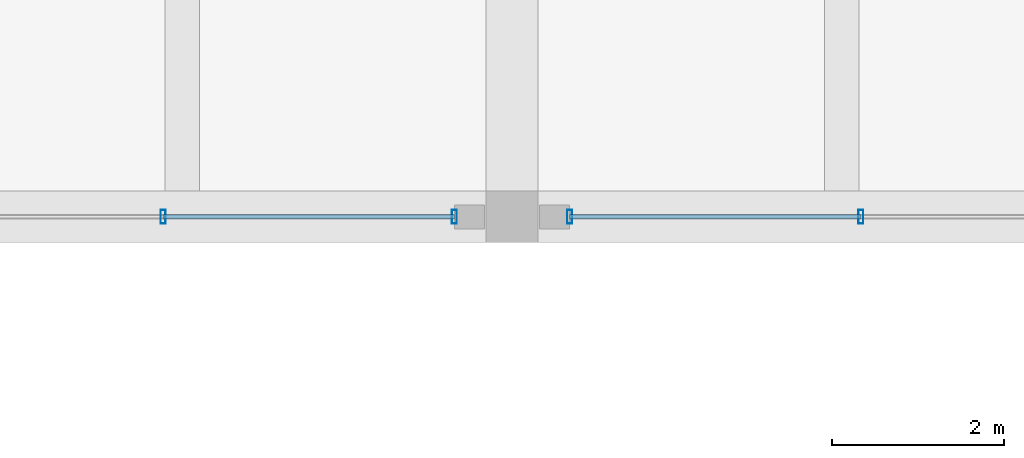
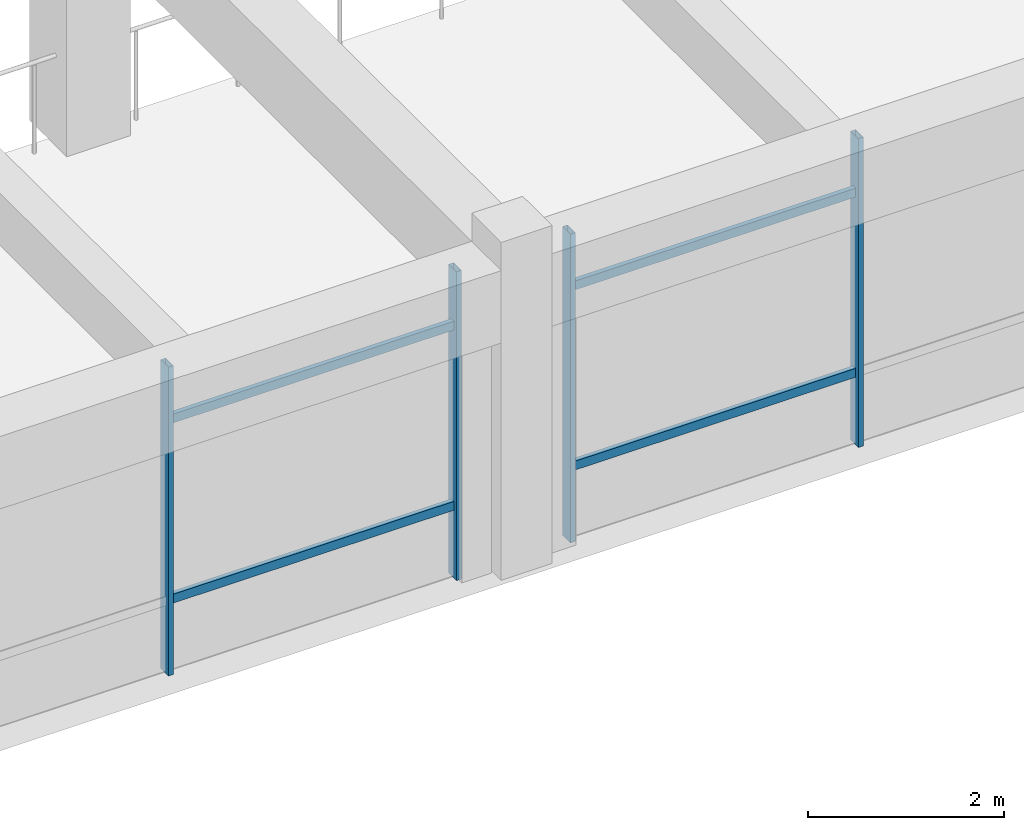
# One storey, part 47 of 98: 8 members, 2 elements without a shape of their own.
"""IFC4 building model written with IfcOpenShell, lengths in metres."""

from ifc_helpers import new_model, si_unit, direction, frame, origin, origin_2d, place, context, subcontext, project, spatial, hollow_rectangle, extrude, material, material_profile, profile_set, type_object, element, aggregate, save


model = new_model("IFC4")

# Units and contexts
model_context = context("Model", 3, precision=1e-05, world=origin(), true_north=direction((0.0, 1.0)))
body_context = subcontext(model_context, "Body", "Model", "MODEL_VIEW")
ifc_project = project(units=[si_unit("LENGTHUNIT", "METRE"), si_unit("AREAUNIT", "SQUARE_METRE"), si_unit("VOLUMEUNIT", "CUBIC_METRE"), si_unit("PLANEANGLEUNIT", "RADIAN"), si_unit("MASSUNIT", "GRAM", prefix="KILO")], contexts=[model_context])

# Site, building, storey
site_placement = place(None, origin())
site = spatial("IfcSite", under=ifc_project, at=site_placement, CompositionType="ELEMENT")
building_placement = place(site_placement, origin())
building = spatial("IfcBuilding", under=site, at=building_placement, Name="Ologun Quay Terminus", CompositionType="ELEMENT")
storey_placement = place(building_placement, frame((0.0, 0.0, 4.199951171875)))
storey = spatial("IfcBuildingStorey", under=building, at=storey_placement, Name="L01", CompositionType="ELEMENT", Elevation=4.199951171875)

# Curtain wall, members
ifc_material_1 = material(Name="Aluminium 6063-T6", Category="aluminium")
curtain_wall_type = type_object("IfcCurtainWallType", Name="Forecourt Mezzanine Curtain Wall 10700x3850", PredefinedType="USERDEFINED", material=ifc_material_1)
curtain_wall_1_placement = place(storey_placement, origin())
curtain_wall_1 = element("IfcCurtainWall", 1, at=curtain_wall_1_placement, inside=storey, type_object=curtain_wall_type, Name="CW-04 Curtain Wall CW-L01-017", ObjectType="UNITISED CURTAIN WALL", PredefinedType="USERDEFINED")
ifc_material_2 = material(Name="Aluminium 6063-T6", Category="aluminium")
ifc_material_profile_1 = material_profile(ifc_material_2, hollow_rectangle(XDim=0.06005859375, YDim=0.159912109375, WallThickness=0.00390625, at=origin_2d()), Name="ALU 160x60x4")
ifc_profile_set_1 = profile_set([ifc_material_profile_1], Name="Aluminium 6063-T6")
member_type_1 = type_object("IfcMemberType", Name="Curtain Wall Standard Mullion 160x65", PredefinedType="MULLION", material=ifc_profile_set_1)
member_1_placement = place(storey_placement, frame((145.443359375, 27.199951171875, 0.0), z_axis=(0.0, 0.0, 1.0), x_axis=(1.0, 0.0, 0.0)))
member_1 = element("IfcMember", 2, at=member_1_placement, type_object=member_type_1, Name="CW-L01-017 Mullion 3", PredefinedType="MULLION", context=body_context, shape_type="SweptSolid", body=[
    extrude(hollow_rectangle(XDim=0.06005859375, YDim=0.159912109375, WallThickness=0.00390625, at=origin_2d()), origin(), (0.0, 0.0, 1.0), 3.840087890625),
])
member_2_placement = place(storey_placement, frame((148.830078125, 27.199951171875, 0.0), z_axis=(0.0, 0.0, 1.0), x_axis=(1.0, 0.0, 0.0)))
member_2 = element("IfcMember", 3, at=member_2_placement, type_object=member_type_1, Name="CW-L01-017 Mullion 4", PredefinedType="MULLION", context=body_context, shape_type="SweptSolid", body=[
    extrude(hollow_rectangle(XDim=0.06005859375, YDim=0.159912109375, WallThickness=0.00390625, at=origin_2d()), origin(), (0.0, 0.0, 1.0), 3.840087890625),
])

curtain_wall_2_placement = place(storey_placement, origin())
curtain_wall_2 = element("IfcCurtainWall", 4, at=curtain_wall_2_placement, inside=storey, type_object=curtain_wall_type, Name="CW-04 Curtain Wall CW-L01-018", ObjectType="UNITISED CURTAIN WALL", PredefinedType="USERDEFINED")
member_3_placement = place(storey_placement, frame((150.169921875, 27.199951171875, 0.0), z_axis=(0.0, 0.0, 1.0), x_axis=(1.0, 0.0, 0.0)))
member_3 = element("IfcMember", 5, at=member_3_placement, type_object=member_type_1, Name="CW-L01-018 Mullion 1", PredefinedType="MULLION", context=body_context, shape_type="SweptSolid", body=[
    extrude(hollow_rectangle(XDim=0.06005859375, YDim=0.159912109375, WallThickness=0.00390625, at=origin_2d()), origin(), (0.0, 0.0, 1.0), 3.840087890625),
])
member_4_placement = place(storey_placement, frame((153.556640625, 27.199951171875, 0.0), z_axis=(0.0, 0.0, 1.0), x_axis=(1.0, 0.0, 0.0)))
member_4 = element("IfcMember", 6, at=member_4_placement, type_object=member_type_1, Name="CW-L01-018 Mullion 2", PredefinedType="MULLION", context=body_context, shape_type="SweptSolid", body=[
    extrude(hollow_rectangle(XDim=0.06005859375, YDim=0.159912109375, WallThickness=0.00390625, at=origin_2d()), origin(), (0.0, 0.0, 1.0), 3.840087890625),
])

# Member
ifc_material_3 = material(Name="Aluminium 6063-T6", Category="aluminium")
ifc_material_profile_2 = material_profile(ifc_material_3, hollow_rectangle(XDim=0.054931640625, YDim=0.110107421875, WallThickness=0.00390625, at=origin_2d()), Name="ALU 110x55x4")
ifc_profile_set_2 = profile_set([ifc_material_profile_2], Name="Aluminium 6063-T6")
member_type_2 = type_object("IfcMemberType", Name="Curtain Wall Standard Transom 110x55", PredefinedType="USERDEFINED", material=ifc_profile_set_2)
member_5_placement = place(storey_placement, frame((145.443359375, 27.199951171875, 0.900146484375), z_axis=(1.0, 0.0, 0.0), x_axis=(0.0, 1.0, 0.0)))
member_5 = element("IfcMember", 7, at=member_5_placement, type_object=member_type_2, Name="CW-L01-017 Transom B3-1", ObjectType="TRANSOM", PredefinedType="USERDEFINED", context=body_context, shape_type="SweptSolid", body=[
    extrude(hollow_rectangle(XDim=0.054931640625, YDim=0.110107421875, WallThickness=0.00390625, at=origin_2d()), origin(), (0.0, 0.0, 1.0), 3.38671875),
])

member_6_placement = place(storey_placement, frame((145.443359375, 27.199951171875, 3.14013671875), z_axis=(1.0, 0.0, 0.0), x_axis=(0.0, 1.0, 0.0)))
member_6 = element("IfcMember", 8, at=member_6_placement, type_object=member_type_2, Name="CW-L01-017 Transom B3-2", ObjectType="TRANSOM", PredefinedType="USERDEFINED", context=body_context, shape_type="SweptSolid", body=[
    extrude(hollow_rectangle(XDim=0.054931640625, YDim=0.110107421875, WallThickness=0.00390625, at=origin_2d()), origin(), (0.0, 0.0, 1.0), 3.38671875),
])

aggregate(curtain_wall_1, [member_1, member_2, member_5, member_6])

member_7_placement = place(storey_placement, frame((150.169921875, 27.199951171875, 0.900146484375), z_axis=(1.0, 0.0, 0.0), x_axis=(0.0, 1.0, 0.0)))
member_7 = element("IfcMember", 9, at=member_7_placement, type_object=member_type_2, Name="CW-L01-018 Transom B1-1", ObjectType="TRANSOM", PredefinedType="USERDEFINED", context=body_context, shape_type="SweptSolid", body=[
    extrude(hollow_rectangle(XDim=0.054931640625, YDim=0.110107421875, WallThickness=0.00390625, at=origin_2d()), origin(), (0.0, 0.0, 1.0), 3.38671875),
])

member_8_placement = place(storey_placement, frame((150.169921875, 27.199951171875, 3.14013671875), z_axis=(1.0, 0.0, 0.0), x_axis=(0.0, 1.0, 0.0)))
member_8 = element("IfcMember", 10, at=member_8_placement, type_object=member_type_2, Name="CW-L01-018 Transom B1-2", ObjectType="TRANSOM", PredefinedType="USERDEFINED", context=body_context, shape_type="SweptSolid", body=[
    extrude(hollow_rectangle(XDim=0.054931640625, YDim=0.110107421875, WallThickness=0.00390625, at=origin_2d()), origin(), (0.0, 0.0, 1.0), 3.38671875),
])

aggregate(curtain_wall_2, [member_3, member_4, member_7, member_8])

save(model, "model.ifc")
